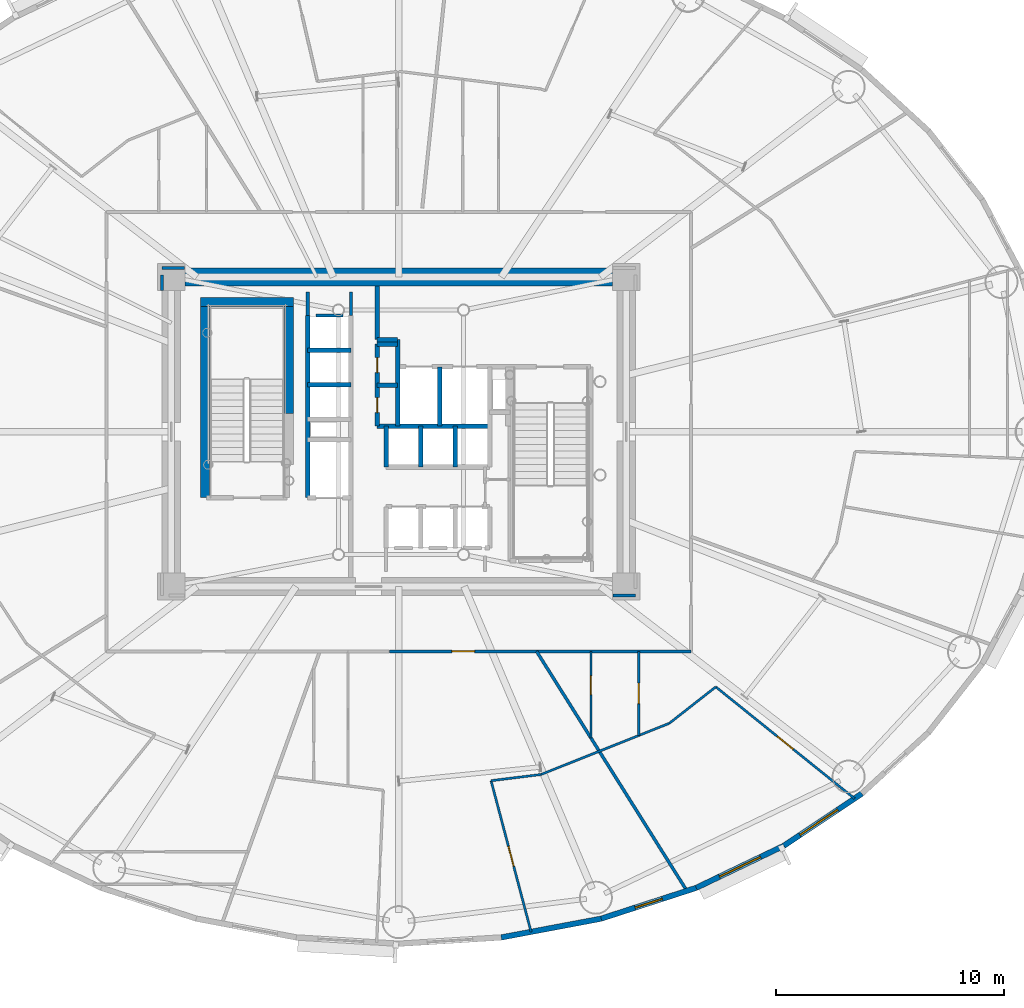
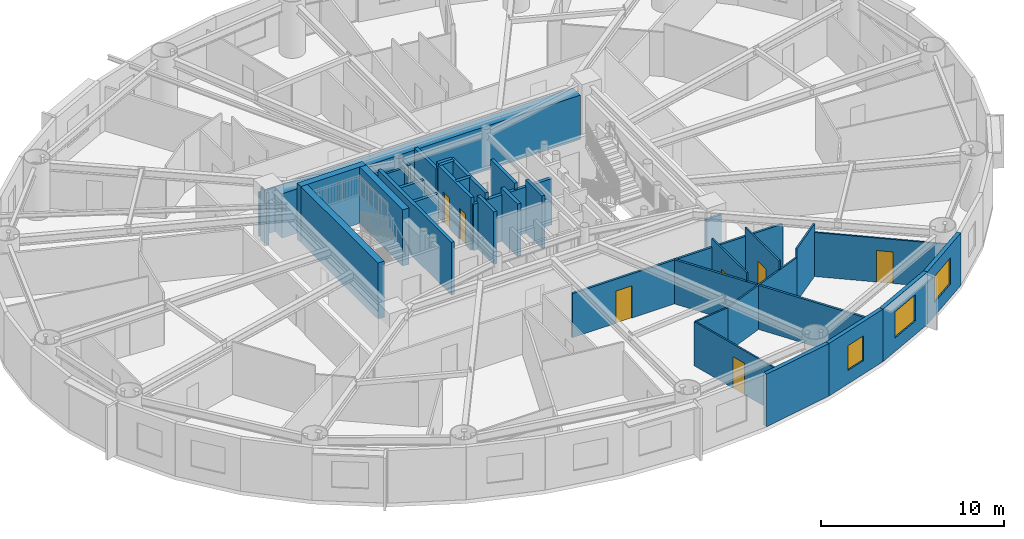
# One storey, part 12 of 21: 37 walls, 7 doors, 3 windows, 10 openings.
"""IFC4 building model written with IfcOpenShell, lengths in metres."""

from ifc_helpers import new_model, si_unit, direction, frame, frame_2d, origin, origin_2d, place, context, subcontext, project, spatial, rectangle, extrude, source, transform, mapped, material, layer, layer_set, type_object, element, fill, save


model = new_model("IFC4")

# Units and contexts
model_context = context("Model", 3, precision=1e-05, world=origin(), true_north=direction((0.0, 1.0)))
body_context = subcontext(model_context, "Body", "Model", "MODEL_VIEW")
ifc_project = project(units=[si_unit("LENGTHUNIT", "METRE"), si_unit("AREAUNIT", "SQUARE_METRE"), si_unit("VOLUMEUNIT", "CUBIC_METRE"), si_unit("PLANEANGLEUNIT", "RADIAN"), si_unit("MASSUNIT", "GRAM", prefix="KILO")], contexts=[model_context])

# Site, building, storey
site_placement = place(None, origin())
site = spatial("IfcSite", under=ifc_project, at=site_placement, CompositionType="ELEMENT")
building_placement = place(site_placement, origin())
building = spatial("IfcBuilding", under=site, at=building_placement, Name="Linh Dai School and Residence Tower", CompositionType="ELEMENT")
storey_placement = place(building_placement, frame((0.0, 0.0, 115.949951171875)))
storey = spatial("IfcBuildingStorey", under=building, at=storey_placement, Name="L27", CompositionType="ELEMENT", Elevation=115.949951171875)

# Wall
ifc_material_1 = material(Name="Precast Concrete B45 (C35/45)", Category="concrete")
ifc_layer_1 = layer(ifc_material_1, 0.239990234375)
ifc_layer_set_1 = layer_set([ifc_layer_1], Name="Precast Concrete B45 (C35/45)")
wall_type_1 = type_object("IfcWallType", Name="EW-TC-240", PredefinedType="SOLIDWALL", material=ifc_layer_set_1)
wall_1_placement = place(storey_placement, frame((44.899658203125, 5.5986328125, 0.0), z_axis=(0.0, 0.0, 1.0), x_axis=(-0.982789252177, -0.184730305596, 0.0)))
element("IfcWall", 1, at=wall_1_placement, inside=storey, type_object=wall_type_1, Name="L27 Terracotta Exterior Wall 32", PredefinedType="SOLIDWALL", context=body_context, shape_type="SweptSolid", body=[
    extrude(rectangle(XDim=4.470947265625, YDim=0.239990234375, at=frame_2d((2.2353515625, 0.0))), origin(), (0.0, 0.0, 1.0), 3.5),
])

# Wall, opening, window
wall_2_placement = place(storey_placement, frame((49.073974609375, 6.95263671875, 0.0), z_axis=(0.0, 0.0, 1.0), x_axis=(-0.951211346073, -0.308540070495, 0.0)))
wall_2 = element("IfcWall", 2, at=wall_2_placement, inside=storey, type_object=wall_type_1, Name="L27 Terracotta Exterior Wall 33", PredefinedType="SOLIDWALL", context=body_context, shape_type="SweptSolid", body=[
    extrude(rectangle(XDim=4.388427734375, YDim=0.239990234375, at=frame_2d((2.1943359375, 0.0))), origin(), (0.0, 0.0, 1.0), 3.5),
])
opening_1_placement = place(wall_2_placement, frame((1.569091796875, 0.0, 0.89990234375)))
opening_1 = element("IfcOpeningElement", 3, at=opening_1_placement, cuts=wall_2, Name="Opening W3", PredefinedType="OPENING", context=body_context, shape_type="SweptSolid", body=[
    extrude(rectangle(XDim=1.25, YDim=1.64990234375, at=origin_2d()), frame((0.625, 0.1298828125, 0.824951171875), z_axis=(0.0, -1.0, 0.0), x_axis=(1.0, 0.0, 0.0)), (0.0, 0.0, 1.0), 0.260009765625),
])
ifc_material_2 = material(Name="Double Low-E Insulated Glazing", Category="glass")
window_type_1 = type_object("IfcWindowType", Name="WN-RES-1250x1650", PartitioningType="SINGLE_PANEL", PredefinedType="WINDOW", material=ifc_material_2)
shared_shape_1 = source(origin(), body_context, "Body", "SweptSolid", [
    extrude(rectangle(XDim=1.25, YDim=1.64990234375, at=origin_2d()), frame((0.625, 0.030029296875, 0.824951171875), z_axis=(0.0, -1.0, 0.0), x_axis=(1.0, 0.0, 0.0)), (0.0, 0.0, 1.0), 0.06005859375),
])
window_1_placement = place(opening_1_placement, origin())
window_1 = element("IfcWindow", 4, at=window_1_placement, inside=storey, type_object=window_type_1, Name="L27 Dwelling Window U2705-BD2", OverallHeight=1.64990234375, OverallWidth=1.25, PartitioningType="SINGLE_PANEL", PredefinedType="WINDOW", context=body_context, shape_type="MappedRepresentation", body=[
    mapped(shared_shape_1, transform((0.0, 0.0, 0.0), x_axis=(1.0, 0.0, 0.0), y_axis=(0.0, 1.0, 0.0), z_axis=(0.0, 0.0, 1.0), scale=1.0)),
])
fill(opening_1, window_1)

wall_3_placement = place(storey_placement, frame((52.92529296875, 8.800537109375, 0.0), z_axis=(0.0, 0.0, 1.0), x_axis=(-0.901589935876, -0.432591709962, 0.0)))
wall_3 = element("IfcWall", 5, at=wall_3_placement, inside=storey, type_object=wall_type_1, Name="L27 Terracotta Exterior Wall 34", PredefinedType="SOLIDWALL", context=body_context, shape_type="SweptSolid", body=[
    extrude(rectangle(XDim=4.271728515625, YDim=0.239990234375, at=frame_2d((2.1357421875, 0.0))), origin(), (0.0, 0.0, 1.0), 3.5),
])
opening_2_placement = place(wall_3_placement, frame((1.135986328125, 0.0, 0.89990234375)))
opening_2 = element("IfcOpeningElement", 6, at=opening_2_placement, cuts=wall_3, Name="Opening W1", PredefinedType="OPENING", context=body_context, shape_type="SweptSolid", body=[
    extrude(rectangle(XDim=2.0, YDim=1.75, at=origin_2d()), frame((1.0, 0.1298828125, 0.875), z_axis=(0.0, -1.0, 0.0), x_axis=(1.0, 0.0, 0.0)), (0.0, 0.0, 1.0), 0.260009765625),
])
window_type_2 = type_object("IfcWindowType", Name="WN-RES-2000x1750", PartitioningType="DOUBLE_PANEL_VERTICAL", PredefinedType="WINDOW", material=ifc_material_2)
shared_shape_2 = source(origin(), body_context, "Body", "SweptSolid", [
    extrude(rectangle(XDim=2.0, YDim=1.75, at=origin_2d()), frame((1.0, 0.030029296875, 0.875), z_axis=(0.0, -1.0, 0.0), x_axis=(1.0, 0.0, 0.0)), (0.0, 0.0, 1.0), 0.06005859375),
])
window_2_placement = place(opening_2_placement, origin())
window_2 = element("IfcWindow", 7, at=window_2_placement, inside=storey, type_object=window_type_2, Name="L27 Exterior Window 34.1", OverallHeight=1.75, OverallWidth=2.0, PartitioningType="DOUBLE_PANEL_VERTICAL", PredefinedType="WINDOW", context=body_context, shape_type="MappedRepresentation", body=[
    mapped(shared_shape_2, transform((0.0, 0.0, 0.0), x_axis=(1.0, 0.0, 0.0), y_axis=(0.0, 1.0, 0.0), z_axis=(0.0, 0.0, 1.0), scale=1.0)),
])
fill(opening_2, window_2)

wall_4_placement = place(storey_placement, frame((56.3583984375, 11.0966796875, 0.0), z_axis=(0.0, 0.0, 1.0), x_axis=(-0.831221811447, -0.555940914284, 0.0)))
wall_4 = element("IfcWall", 8, at=wall_4_placement, inside=storey, type_object=wall_type_1, Name="L27 Terracotta Exterior Wall 35", PredefinedType="SOLIDWALL", context=body_context, shape_type="SweptSolid", body=[
    extrude(rectangle(XDim=4.130126953125, YDim=0.239990234375, at=frame_2d((2.06494140625, 0.0))), origin(), (0.0, 0.0, 1.0), 3.5),
])
opening_3_placement = place(wall_4_placement, frame((1.275634765625, 0.0, 0.89990234375)))
opening_3 = element("IfcOpeningElement", 9, at=opening_3_placement, cuts=wall_4, Name="Opening W1", PredefinedType="OPENING", context=body_context, shape_type="SweptSolid", body=[
    extrude(rectangle(XDim=2.0, YDim=1.75, at=origin_2d()), frame((1.0, 0.1298828125, 0.875), z_axis=(0.0, -1.0, 0.0), x_axis=(1.0, 0.0, 0.0)), (0.0, 0.0, 1.0), 0.260009765625),
])
window_3_placement = place(opening_3_placement, origin())
window_3 = element("IfcWindow", 10, at=window_3_placement, inside=storey, type_object=window_type_2, Name="L27 Exterior Window 35.1", OverallHeight=1.75, OverallWidth=2.0, PartitioningType="DOUBLE_PANEL_VERTICAL", PredefinedType="WINDOW", context=body_context, shape_type="MappedRepresentation", body=[
    mapped(shared_shape_2, transform((0.0, 0.0, 0.0), x_axis=(1.0, 0.0, 0.0), y_axis=(0.0, 1.0, 0.0), z_axis=(0.0, 0.0, 1.0), scale=1.0)),
])
fill(opening_3, window_3)

# Wall, opening, door
ifc_material_3 = material(Name="Autoclaved Aerated Concrete Blockwork", Category="masonry")
ifc_layer_2 = layer(ifc_material_3, 0.135009765625)
ifc_layer_set_2 = layer_set([ifc_layer_2], Name="Autoclaved Aerated Concrete Blockwork")
wall_type_2 = type_object("IfcWallType", Name="IW-CORR-135-EI90", PredefinedType="PARTITIONING", material=ifc_layer_set_2)
wall_5_placement = place(storey_placement, frame((35.583740234375, 17.35009765625, 0.0), z_axis=(0.0, 0.0, 1.0), x_axis=(1.0, 0.0, 0.0)))
wall_5 = element("IfcWall", 11, at=wall_5_placement, inside=storey, type_object=wall_type_2, Name="L27 Interior Partition Wall 052", PredefinedType="PARTITIONING", context=body_context, shape_type="SweptSolid", body=[
    extrude(rectangle(XDim=13.266357421875, YDim=0.135009765625, at=frame_2d((6.63330078125, 0.0))), origin(), (0.0, 0.0, 1.0), 2.93505859375),
])
opening_4_placement = place(wall_5_placement, frame((2.757080078125, 0.0, 0.0)))
opening_4 = element("IfcOpeningElement", 12, at=opening_4_placement, cuts=wall_5, Name="Opening D03", PredefinedType="OPENING", context=body_context, shape_type="SweptSolid", body=[
    extrude(rectangle(XDim=1.0, YDim=2.14990234375, at=origin_2d()), frame((0.5, 0.07763671875, 1.074951171875), z_axis=(0.0, -1.0, 0.0), x_axis=(1.0, 0.0, 0.0)), (0.0, 0.0, 1.0), 0.155029296875),
])
ifc_material_4 = material(Name="Fire-Rated Solid Timber Entrance Door", Category="wood")
door_type_1 = type_object("IfcDoorType", Name="DR-FLAT-1000x2150-FD60S", OperationType="NOTDEFINED", PredefinedType="DOOR", material=ifc_material_4)
shared_shape_3 = source(origin(), body_context, "Body", "SweptSolid", [
    extrude(rectangle(XDim=1.0, YDim=2.14990234375, at=origin_2d()), frame((0.5, 0.02490234375, 1.074951171875), z_axis=(0.0, -1.0, 0.0), x_axis=(1.0, 0.0, 0.0)), (0.0, 0.0, 1.0), 0.050048828125),
])
door_1_placement = place(opening_4_placement, origin())
door_1 = element("IfcDoor", 13, at=door_1_placement, inside=storey, type_object=door_type_1, Name="L27 U2705 Apartment Entrance Door", OperationType="SINGLE_SWING_RIGHT", OverallHeight=2.14990234375, OverallWidth=1.0, PredefinedType="DOOR", context=body_context, shape_type="MappedRepresentation", body=[
    mapped(shared_shape_3, transform((0.0, 0.0, 0.0), x_axis=(1.0, 0.0, 0.0), y_axis=(0.0, 1.0, 0.0), z_axis=(0.0, 0.0, 1.0), scale=1.0)),
])
fill(opening_4, door_1)

# Walls
wall_6_placement = place(storey_placement, frame((42.0576171875, 17.35009765625, 0.0), z_axis=(0.0, 0.0, 1.0), x_axis=(0.531660079213, -0.846957826678, 0.0)))
element("IfcWall", 14, at=wall_6_placement, inside=storey, type_object=wall_type_2, Name="L27 Interior Partition Wall 076", PredefinedType="PARTITIONING", context=body_context, shape_type="SweptSolid", body=[
    extrude(rectangle(XDim=12.43701171875, YDim=0.135009765625, at=frame_2d((6.218505859375, 0.0))), origin(), (0.0, 0.0, 1.0), 2.93505859375),
])
wall_7_placement = place(storey_placement, frame((32.360107421875, 32.10009765625, 0.0), z_axis=(0.0, 0.0, 1.0), x_axis=(1.0, 0.0, 0.0)))
element("IfcWall", 15, at=wall_7_placement, inside=storey, type_object=wall_type_2, Name="L27 Interior Partition Wall 103", PredefinedType="PARTITIONING", context=body_context, shape_type="SweptSolid", body=[
    extrude(rectangle(XDim=1.179931640625, YDim=0.135009765625, at=frame_2d((0.58984375, 0.0))), origin(), (0.0, 0.0, 1.0), 3.0849609375),
])
wall_8_placement = place(storey_placement, frame((32.0, 33.139892578125, 0.0), z_axis=(0.0, 0.0, 1.0), x_axis=(0.0, -1.0, 0.0)))
element("IfcWall", 16, at=wall_8_placement, inside=storey, type_object=wall_type_2, Name="L27 Interior Partition Wall 105", PredefinedType="PARTITIONING", context=body_context, shape_type="SweptSolid", body=[
    extrude(rectangle(XDim=1.02978515625, YDim=0.135009765625, at=frame_2d((0.514892578125, 0.0))), origin(), (0.0, 0.0, 1.0), 3.03515625),
])
wall_9_placement = place(storey_placement, frame((33.89990234375, 32.110107421875, 0.0), z_axis=(0.0, 0.0, 1.0), x_axis=(0.0, 1.0, 0.0)))
element("IfcWall", 17, at=wall_9_placement, inside=storey, type_object=wall_type_2, Name="L27 Interior Partition Wall 108", PredefinedType="PARTITIONING", context=body_context, shape_type="SweptSolid", body=[
    extrude(rectangle(XDim=1.02978515625, YDim=0.135009765625, at=frame_2d((0.514892578125, 0.0))), origin(), (0.0, 0.0, 1.0), 3.0849609375),
])
wall_10_placement = place(storey_placement, frame((26.590087890625, 34.199951171875, 0.0), z_axis=(0.0, 0.0, 1.0), x_axis=(-1.0, 0.0, 0.0)))
element("IfcWall", 18, at=wall_10_placement, inside=storey, type_object=wall_type_2, Name="L27 Interior Partition Wall 112", PredefinedType="PARTITIONING", context=body_context, shape_type="SweptSolid", body=[
    extrude(rectangle(XDim=0.989990234375, YDim=0.135009765625, at=frame_2d((0.4951171875, 0.0))), origin(), (0.0, 0.0, 1.0), 2.93505859375),
])
wall_11_placement = place(storey_placement, frame((25.60009765625, 33.892578125, 0.0), z_axis=(0.0, 0.0, 1.0), x_axis=(0.0, -1.0, 0.0)))
element("IfcWall", 19, at=wall_11_placement, inside=storey, type_object=wall_type_2, Name="L27 Interior Partition Wall 113", PredefinedType="PARTITIONING", context=body_context, shape_type="SweptSolid", body=[
    extrude(rectangle(XDim=0.6826171875, YDim=0.135009765625, at=frame_2d((0.34130859375, 0.0))), origin(), (0.0, 0.0, 1.0), 3.5),
])
wall_12_placement = place(storey_placement, frame((45.409912109375, 19.800048828125, 0.0), z_axis=(0.0, 0.0, 1.0), x_axis=(1.0, 0.0, 0.0)))
element("IfcWall", 20, at=wall_12_placement, inside=storey, type_object=wall_type_2, Name="L27 Interior Partition Wall 116", PredefinedType="PARTITIONING", context=body_context, shape_type="SweptSolid", body=[
    extrude(rectangle(XDim=0.989990234375, YDim=0.135009765625, at=frame_2d((0.4951171875, 0.0))), origin(), (0.0, 0.0, 1.0), 2.93505859375),
])
ifc_material_5 = material(Name="Concrete B45 (C35/45)", Category="concrete")
ifc_layer_3 = layer(ifc_material_5, 0.199951171875)
ifc_layer_set_3 = layer_set([ifc_layer_3], Name="Concrete B45 (C35/45)")
wall_type_3 = type_object("IfcWallType", Name="IW-SHAFT-200-EI120", PredefinedType="PARTITIONING", material=ifc_layer_set_3)
wall_13_placement = place(storey_placement, frame((32.0, 24.10009765625, 0.0), z_axis=(0.0, 0.0, 1.0), x_axis=(0.0, 1.0, 0.0)))
element("IfcWall", 21, at=wall_13_placement, inside=storey, type_object=wall_type_3, Name="L27 Interior Partition Wall 030", PredefinedType="PARTITIONING", context=body_context, shape_type="SweptSolid", body=[
    extrude(rectangle(XDim=8.0, YDim=0.199951171875, at=frame_2d((4.0, 0.0))), origin(), (0.0, 0.0, 1.0), 3.5),
])
for number, where, z_axis, x_axis, name in (
    (22, (32.0, 29.06005859375, 0.0), (0.0, 0.0, 1.0), (1.0, 0.0, 0.0), "L27 Interior Partition Wall 034"),
    (23, (32.0, 30.580078125, 0.0), (0.0, 0.0, 1.0), (1.0, 0.0, 0.0), "L27 Interior Partition Wall 035"),
):
    element("IfcWall", number, at=place(storey_placement, frame(where, z_axis=z_axis, x_axis=x_axis)), inside=storey, type_object=wall_type_3, Name=name, PredefinedType="PARTITIONING", context=body_context, shape_type="SweptSolid", body=[
        extrude(rectangle(XDim=1.89990234375, YDim=0.199951171875, at=frame_2d((0.949951171875, 0.0))), origin(), (0.0, 0.0, 1.0), 3.0849609375),
    ])

# Wall, openings, doors
wall_14_placement = place(storey_placement, frame((35.050048828125, 27.25, 0.0), z_axis=(0.0, 0.0, 1.0), x_axis=(0.0, 1.0, 0.0)))
wall_14 = element("IfcWall", 24, at=wall_14_placement, inside=storey, type_object=wall_type_3, Name="L27 Interior Partition Wall 042", PredefinedType="PARTITIONING", context=body_context, shape_type="SweptSolid", body=[
    extrude(rectangle(XDim=3.60009765625, YDim=0.199951171875, at=frame_2d((1.800048828125, 0.0))), origin(), (0.0, 0.0, 1.0), 3.5),
])
opening_5_placement = place(wall_14_placement, frame((0.590087890625, 0.0, 0.0)))
opening_5 = element("IfcOpeningElement", 25, at=opening_5_placement, cuts=wall_14, Name="Opening AD1", PredefinedType="OPENING", context=body_context, shape_type="SweptSolid", body=[
    extrude(rectangle(XDim=0.659912109375, YDim=2.050048828125, at=origin_2d()), frame((0.330078125, 0.10986328125, 1.02490234375), z_axis=(0.0, -1.0, 0.0), x_axis=(1.0, 0.0, 0.0)), (0.0, 0.0, 1.0), 0.219970703125),
])
opening_6_placement = place(wall_14_placement, frame((2.35009765625, 0.0, 0.0)))
opening_6 = element("IfcOpeningElement", 26, at=opening_6_placement, cuts=wall_14, Name="Opening AD1", PredefinedType="OPENING", context=body_context, shape_type="SweptSolid", body=[
    extrude(rectangle(XDim=0.659912109375, YDim=2.050048828125, at=origin_2d()), frame((0.330078125, 0.10986328125, 1.02490234375), z_axis=(0.0, -1.0, 0.0), x_axis=(1.0, 0.0, 0.0)), (0.0, 0.0, 1.0), 0.219970703125),
])
ifc_material_6 = material(Name="Fire-Rated Steel Riser Access Door", Category="steel")
door_type_2 = type_object("IfcDoorType", Name="DR-ACC-660x2050-FD90S", OperationType="NOTDEFINED", PredefinedType="USERDEFINED", material=ifc_material_6)
shared_shape_4 = source(origin(), body_context, "Body", "SweptSolid", [
    extrude(rectangle(XDim=0.659912109375, YDim=2.050048828125, at=origin_2d()), frame((0.330078125, 0.02490234375, 1.02490234375), z_axis=(0.0, -1.0, 0.0), x_axis=(1.0, 0.0, 0.0)), (0.0, 0.0, 1.0), 0.050048828125),
])
door_2_placement = place(opening_5_placement, origin())
door_2 = element("IfcDoor", 27, at=door_2_placement, inside=storey, type_object=door_type_2, Name="L27 Telecom and Data Riser Access Door", ObjectType="ACCESS DOOR", OperationType="SINGLE_SWING_RIGHT", OverallHeight=2.050048828125, OverallWidth=0.659912109375, PredefinedType="USERDEFINED", context=body_context, shape_type="MappedRepresentation", body=[
    mapped(shared_shape_4, transform((0.0, 0.0, 0.0), x_axis=(1.0, 0.0, 0.0), y_axis=(0.0, 1.0, 0.0), z_axis=(0.0, 0.0, 1.0), scale=1.0)),
])
fill(opening_5, door_2)
door_3_placement = place(opening_6_placement, origin())
door_3 = element("IfcDoor", 28, at=door_3_placement, inside=storey, type_object=door_type_2, Name="L27 Mechanical and Plumbing Riser Access Door", ObjectType="ACCESS DOOR", OperationType="SINGLE_SWING_LEFT", OverallHeight=2.050048828125, OverallWidth=0.659912109375, PredefinedType="USERDEFINED", context=body_context, shape_type="MappedRepresentation", body=[
    mapped(shared_shape_4, transform((0.0, 0.0, 0.0), x_axis=(1.0, 0.0, 0.0), y_axis=(0.0, 1.0, 0.0), z_axis=(0.0, 0.0, 1.0), scale=1.0)),
])
fill(opening_6, door_3)

# Walls
wall_15_placement = place(storey_placement, frame((35.050048828125, 27.25, 0.0), z_axis=(0.0, 0.0, 1.0), x_axis=(1.0, 0.0, 0.0)))
element("IfcWall", 29, at=wall_15_placement, inside=storey, type_object=wall_type_3, Name="L27 Interior Partition Wall 043", PredefinedType="PARTITIONING", context=body_context, shape_type="SweptSolid", body=[
    extrude(rectangle(XDim=4.949951171875, YDim=0.199951171875, at=frame_2d((2.47509765625, 0.0))), origin(), (0.0, 0.0, 1.0), 3.0849609375),
])
for number, where, z_axis, x_axis, name in (
    (30, (35.050048828125, 29.050048828125, 0.0), (0.0, 0.0, 1.0), (1.0, 0.0, 0.0), "L27 Interior Partition Wall 044"),
    (31, (35.050048828125, 30.85009765625, 0.0), (0.0, 0.0, 1.0), (1.0, 0.0, 0.0), "L27 Interior Partition Wall 045"),
):
    element("IfcWall", number, at=place(storey_placement, frame(where, z_axis=z_axis, x_axis=x_axis)), inside=storey, type_object=wall_type_3, Name=name, PredefinedType="PARTITIONING", context=body_context, shape_type="SweptSolid", body=[
        extrude(rectangle(XDim=0.89990234375, YDim=0.199951171875, at=frame_2d((0.449951171875, 0.0))), origin(), (0.0, 0.0, 1.0), 3.5),
    ])
wall_16_placement = place(storey_placement, frame((35.050048828125, 31.050048828125, 0.0), z_axis=(0.0, 0.0, 1.0), x_axis=(0.0, 1.0, 0.0)))
element("IfcWall", 32, at=wall_16_placement, inside=storey, type_object=wall_type_3, Name="L27 Interior Partition Wall 046", PredefinedType="PARTITIONING", context=body_context, shape_type="SweptSolid", body=[
    extrude(rectangle(XDim=2.349853515625, YDim=0.199951171875, at=frame_2d((1.1748046875, 0.0))), origin(), (0.0, 0.0, 1.0), 3.0849609375),
])
wall_17_placement = place(storey_placement, frame((35.050048828125, 31.050048828125, 0.0), z_axis=(0.0, 0.0, 1.0), x_axis=(1.0, 0.0, 0.0)))
element("IfcWall", 33, at=wall_17_placement, inside=storey, type_object=wall_type_3, Name="L27 Interior Partition Wall 047", PredefinedType="PARTITIONING", context=body_context, shape_type="SweptSolid", body=[
    extrude(rectangle(XDim=0.89990234375, YDim=0.199951171875, at=frame_2d((0.449951171875, 0.0))), origin(), (0.0, 0.0, 1.0), 3.5),
])
wall_18_placement = place(storey_placement, frame((35.449951171875, 25.449951171875, 0.0), z_axis=(0.0, 0.0, 1.0), x_axis=(0.0, 1.0, 0.0)))
element("IfcWall", 34, at=wall_18_placement, inside=storey, type_object=wall_type_3, Name="L27 Interior Partition Wall 050", PredefinedType="PARTITIONING", context=body_context, shape_type="SweptSolid", body=[
    extrude(rectangle(XDim=1.800048828125, YDim=0.199951171875, at=frame_2d((0.89990234375, 0.0))), origin(), (0.0, 0.0, 1.0), 3.5),
])
wall_19_placement = place(storey_placement, frame((35.949951171875, 27.25, 0.0), z_axis=(0.0, 0.0, 1.0), x_axis=(0.0, 1.0, 0.0)))
element("IfcWall", 35, at=wall_19_placement, inside=storey, type_object=wall_type_3, Name="L27 Interior Partition Wall 054", PredefinedType="PARTITIONING", context=body_context, shape_type="SweptSolid", body=[
    extrude(rectangle(XDim=3.800048828125, YDim=0.199951171875, at=frame_2d((1.89990234375, 0.0))), origin(), (0.0, 0.0, 1.0), 3.5),
])
wall_20_placement = place(storey_placement, frame((36.9599609375, 25.449951171875, 0.0), z_axis=(0.0, 0.0, 1.0), x_axis=(0.0, 1.0, 0.0)))
element("IfcWall", 36, at=wall_20_placement, inside=storey, type_object=wall_type_3, Name="L27 Interior Partition Wall 058", PredefinedType="PARTITIONING", context=body_context, shape_type="SweptSolid", body=[
    extrude(rectangle(XDim=1.800048828125, YDim=0.199951171875, at=frame_2d((0.89990234375, 0.0))), origin(), (0.0, 0.0, 1.0), 3.5),
])
wall_21_placement = place(storey_placement, frame((37.800048828125, 27.25, 0.0), z_axis=(0.0, 0.0, 1.0), x_axis=(0.0, 1.0, 0.0)))
element("IfcWall", 37, at=wall_21_placement, inside=storey, type_object=wall_type_3, Name="L27 Interior Partition Wall 060", PredefinedType="PARTITIONING", context=body_context, shape_type="SweptSolid", body=[
    extrude(rectangle(XDim=2.60009765625, YDim=0.199951171875, at=frame_2d((1.300048828125, 0.0))), origin(), (0.0, 0.0, 1.0), 3.5),
])
wall_22_placement = place(storey_placement, frame((38.47998046875, 25.449951171875, 0.0), z_axis=(0.0, 0.0, 1.0), x_axis=(0.0, 1.0, 0.0)))
element("IfcWall", 38, at=wall_22_placement, inside=storey, type_object=wall_type_3, Name="L27 Interior Partition Wall 063", PredefinedType="PARTITIONING", context=body_context, shape_type="SweptSolid", body=[
    extrude(rectangle(XDim=1.800048828125, YDim=0.199951171875, at=frame_2d((0.89990234375, 0.0))), origin(), (0.0, 0.0, 1.0), 3.5),
])

# Wall, opening, door
ifc_material_7 = material(Name="Gypsum Plasterboard Acoustic Stud Partition", Category="masonry")
ifc_layer_4 = layer(ifc_material_7, 0.10009765625)
ifc_layer_set_4 = layer_set([ifc_layer_4], Name="Gypsum Plasterboard Acoustic Stud Partition")
wall_type_4 = type_object("IfcWallType", Name="IW-UNIT-100", PredefinedType="PARTITIONING", material=ifc_layer_set_4)
wall_23_placement = place(storey_placement, frame((40.05908203125, 11.662353515625, 0.0), z_axis=(0.0, 0.0, 1.0), x_axis=(0.255861334688, -0.966713492929, 0.0)))
wall_23 = element("IfcWall", 39, at=wall_23_placement, inside=storey, type_object=wall_type_4, Name="L27 Interior Partition Wall 071", PredefinedType="PARTITIONING", context=body_context, shape_type="SweptSolid", body=[
    extrude(rectangle(XDim=6.876953125, YDim=0.10009765625, at=frame_2d((3.4384765625, 0.0))), origin(), (0.0, 0.0, 1.0), 2.93505859375),
])
opening_7_placement = place(wall_23_placement, frame((2.98828125, 0.0, 0.0)))
opening_7 = element("IfcOpeningElement", 40, at=opening_7_placement, cuts=wall_23, Name="Opening D05", PredefinedType="OPENING", context=body_context, shape_type="SweptSolid", body=[
    extrude(rectangle(XDim=0.89990234375, YDim=2.10009765625, at=origin_2d()), frame((0.449951171875, 0.06005859375, 1.050048828125), z_axis=(0.0, -1.0, 0.0), x_axis=(1.0, 0.0, 0.0)), (0.0, 0.0, 1.0), 0.1201171875),
])
ifc_material_8 = material(Name="Engineered Timber Internal Door", Category="wood")
door_type_3 = type_object("IfcDoorType", Name="DR-INT-900x2100", OperationType="NOTDEFINED", PredefinedType="DOOR", material=ifc_material_8)
shared_shape_5 = source(origin(), body_context, "Body", "SweptSolid", [
    extrude(rectangle(XDim=0.89990234375, YDim=2.10009765625, at=origin_2d()), frame((0.449951171875, 0.02490234375, 1.050048828125), z_axis=(0.0, -1.0, 0.0), x_axis=(1.0, 0.0, 0.0)), (0.0, 0.0, 1.0), 0.050048828125),
])
door_4_placement = place(opening_7_placement, origin())
door_4 = element("IfcDoor", 41, at=door_4_placement, inside=storey, type_object=door_type_3, Name="L27 Apartment U2705 Principal Bedroom 2 Door", OperationType="SINGLE_SWING_RIGHT", OverallHeight=2.10009765625, OverallWidth=0.89990234375, PredefinedType="DOOR", context=body_context, shape_type="MappedRepresentation", body=[
    mapped(shared_shape_5, transform((0.0, 0.0, 0.0), x_axis=(1.0, 0.0, 0.0), y_axis=(0.0, 1.0, 0.0), z_axis=(0.0, 0.0, 1.0), scale=1.0)),
])
fill(opening_7, door_4)

# Walls
wall_24_placement = place(storey_placement, frame((40.05908203125, 11.662353515625, 0.0), z_axis=(0.0, 0.0, 1.0), x_axis=(0.992393057675, 0.12310978466, 0.0)))
element("IfcWall", 42, at=wall_24_placement, inside=storey, type_object=wall_type_4, Name="L27 Interior Partition Wall 072", PredefinedType="PARTITIONING", context=body_context, shape_type="SweptSolid", body=[
    extrude(rectangle(XDim=2.209228515625, YDim=0.10009765625, at=frame_2d((1.1044921875, 0.0))), origin(), (0.0, 0.0, 1.0), 2.93505859375),
])
wall_25_placement = place(storey_placement, frame((42.25146484375, 11.934326171875, 0.0), z_axis=(0.0, 0.0, 1.0), x_axis=(0.928803554156, 0.370572473055, 0.0)))
element("IfcWall", 43, at=wall_25_placement, inside=storey, type_object=wall_type_4, Name="L27 Interior Partition Wall 077", PredefinedType="PARTITIONING", context=body_context, shape_type="SweptSolid", body=[
    extrude(rectangle(XDim=6.07177734375, YDim=0.10009765625, at=frame_2d((3.035888671875, 0.0))), origin(), (0.0, 0.0, 1.0), 2.93505859375),
])

# Wall, opening, door
wall_26_placement = place(storey_placement, frame((44.44677734375, 13.5439453125, 0.0), z_axis=(0.0, 0.0, 1.0), x_axis=(0.0, 1.0, 0.0)))
wall_26 = element("IfcWall", 44, at=wall_26_placement, inside=storey, type_object=wall_type_4, Name="L27 Interior Partition Wall 081", PredefinedType="PARTITIONING", context=body_context, shape_type="SweptSolid", body=[
    extrude(rectangle(XDim=3.80615234375, YDim=0.10009765625, at=frame_2d((1.903076171875, 0.0))), origin(), (0.0, 0.0, 1.0), 3.5),
])
opening_8_placement = place(wall_26_placement, frame((1.90478515625, 0.0, 0.0)))
opening_8 = element("IfcOpeningElement", 45, at=opening_8_placement, cuts=wall_26, Name="Opening D06", PredefinedType="OPENING", context=body_context, shape_type="SweptSolid", body=[
    extrude(rectangle(XDim=0.820068359375, YDim=2.10009765625, at=origin_2d()), frame((0.41015625, 0.06005859375, 1.050048828125), z_axis=(0.0, -1.0, 0.0), x_axis=(1.0, 0.0, 0.0)), (0.0, 0.0, 1.0), 0.1201171875),
])
ifc_material_9 = material(Name="Moisture-Resistant Timber Bathroom Door", Category="wood")
door_type_4 = type_object("IfcDoorType", Name="DR-WET-820x2100", OperationType="NOTDEFINED", PredefinedType="DOOR", material=ifc_material_9)
shared_shape_6 = source(origin(), body_context, "Body", "SweptSolid", [
    extrude(rectangle(XDim=0.820068359375, YDim=2.10009765625, at=origin_2d()), frame((0.41015625, 0.02490234375, 1.050048828125), z_axis=(0.0, -1.0, 0.0), x_axis=(1.0, 0.0, 0.0)), (0.0, 0.0, 1.0), 0.050048828125),
])
door_5_placement = place(opening_8_placement, origin())
door_5 = element("IfcDoor", 46, at=door_5_placement, inside=storey, type_object=door_type_4, Name="L27 Apartment U2706 Bathroom 1 Door", OperationType="SINGLE_SWING_RIGHT", OverallHeight=2.10009765625, OverallWidth=0.820068359375, PredefinedType="DOOR", context=body_context, shape_type="MappedRepresentation", body=[
    mapped(shared_shape_6, transform((0.0, 0.0, 0.0), x_axis=(1.0, 0.0, 0.0), y_axis=(0.0, 1.0, 0.0), z_axis=(0.0, 0.0, 1.0), scale=1.0)),
])
fill(opening_8, door_5)

wall_27_placement = place(storey_placement, frame((46.54931640625, 13.649169921875, 0.0), z_axis=(0.0, 0.0, 1.0), x_axis=(0.0, 1.0, 0.0)))
wall_27 = element("IfcWall", 47, at=wall_27_placement, inside=storey, type_object=wall_type_4, Name="L27 Interior Partition Wall 082", PredefinedType="PARTITIONING", context=body_context, shape_type="SweptSolid", body=[
    extrude(rectangle(XDim=3.700927734375, YDim=0.10009765625, at=frame_2d((1.8505859375, 0.0))), origin(), (0.0, 0.0, 1.0), 3.5),
])
opening_9_placement = place(wall_27_placement, frame((1.400390625, 0.0, 0.0)))
opening_9 = element("IfcOpeningElement", 48, at=opening_9_placement, cuts=wall_27, Name="Opening D05", PredefinedType="OPENING", context=body_context, shape_type="SweptSolid", body=[
    extrude(rectangle(XDim=0.89990234375, YDim=2.10009765625, at=origin_2d()), frame((0.449951171875, 0.06005859375, 1.050048828125), z_axis=(0.0, -1.0, 0.0), x_axis=(1.0, 0.0, 0.0)), (0.0, 0.0, 1.0), 0.1201171875),
])
door_6_placement = place(opening_9_placement, origin())
door_6 = element("IfcDoor", 49, at=door_6_placement, inside=storey, type_object=door_type_3, Name="L27 Apartment U2706 Kitchen Door", OperationType="SINGLE_SWING_LEFT", OverallHeight=2.10009765625, OverallWidth=0.89990234375, PredefinedType="DOOR", context=body_context, shape_type="MappedRepresentation", body=[
    mapped(shared_shape_5, transform((0.0, 0.0, 0.0), x_axis=(1.0, 0.0, 0.0), y_axis=(0.0, 1.0, 0.0), z_axis=(0.0, 0.0, 1.0), scale=1.0)),
])
fill(opening_9, door_6)

# Wall
wall_28_placement = place(storey_placement, frame((47.890869140625, 14.184326171875, 0.0), z_axis=(0.0, 0.0, 1.0), x_axis=(0.787364158956, 0.616488184146, 0.0)))
element("IfcWall", 50, at=wall_28_placement, inside=storey, type_object=wall_type_4, Name="L27 Interior Partition Wall 085", PredefinedType="PARTITIONING", context=body_context, shape_type="SweptSolid", body=[
    extrude(rectangle(XDim=2.597412109375, YDim=0.10009765625, at=frame_2d((1.298828125, 0.0))), origin(), (0.0, 0.0, 1.0), 3.5),
])

# Wall, opening, door
wall_29_placement = place(storey_placement, frame((49.93603515625, 15.78564453125, 0.0), z_axis=(0.0, 0.0, 1.0), x_axis=(0.779083359145, -0.626920345421, 0.0)))
wall_29 = element("IfcWall", 51, at=wall_29_placement, inside=storey, type_object=wall_type_4, Name="L27 Interior Partition Wall 090", PredefinedType="PARTITIONING", context=body_context, shape_type="SweptSolid", body=[
    extrude(rectangle(XDim=7.831298828125, YDim=0.10009765625, at=frame_2d((3.91552734375, 0.0))), origin(), (0.0, 0.0, 1.0), 2.93505859375),
])
opening_10_placement = place(wall_29_placement, frame((3.4658203125, 0.0, 0.0)))
opening_10 = element("IfcOpeningElement", 52, at=opening_10_placement, cuts=wall_29, Name="Opening D05", PredefinedType="OPENING", context=body_context, shape_type="SweptSolid", body=[
    extrude(rectangle(XDim=0.89990234375, YDim=2.10009765625, at=origin_2d()), frame((0.449951171875, 0.06005859375, 1.050048828125), z_axis=(0.0, -1.0, 0.0), x_axis=(1.0, 0.0, 0.0)), (0.0, 0.0, 1.0), 0.1201171875),
])
door_7_placement = place(opening_10_placement, origin())
door_7 = element("IfcDoor", 53, at=door_7_placement, inside=storey, type_object=door_type_3, Name="L27 Apartment U2706 Principal Bedroom 1 Door", OperationType="SINGLE_SWING_RIGHT", OverallHeight=2.10009765625, OverallWidth=0.89990234375, PredefinedType="DOOR", context=body_context, shape_type="MappedRepresentation", body=[
    mapped(shared_shape_5, transform((0.0, 0.0, 0.0), x_axis=(1.0, 0.0, 0.0), y_axis=(0.0, 1.0, 0.0), z_axis=(0.0, 0.0, 1.0), scale=1.0)),
])
fill(opening_10, door_7)

# Walls
ifc_layer_5 = layer(ifc_material_5, 0.39990234375)
ifc_layer_set_5 = layer_set([ifc_layer_5], Name="Concrete B45 (C35/45)")
wall_type_5 = type_object("IfcWallType", Name="WL-CORE400", PredefinedType="SHEAR", material=ifc_layer_set_5)
wall_30_placement = place(storey_placement, frame((27.47998046875, 24.10009765625, 0.0), z_axis=(0.0, 0.0, 1.0), x_axis=(0.0, 1.0, 0.0)))
element("IfcWall", 54, at=wall_30_placement, inside=storey, type_object=wall_type_5, Name="L27 Core Stair ST1 Bearing Wall W", PredefinedType="SHEAR", context=body_context, shape_type="SweptSolid", body=[
    extrude(rectangle(XDim=8.599853515625, YDim=0.39990234375, at=frame_2d((4.2998046875, 0.0))), origin(), (0.0, 0.0, 1.0), 3.75),
])
wall_31_placement = place(storey_placement, frame((31.179931640625, 27.800048828125, 0.0), z_axis=(0.0, 0.0, 1.0), x_axis=(0.0, 1.0, 0.0)))
element("IfcWall", 55, at=wall_31_placement, inside=storey, type_object=wall_type_5, Name="L27 Core Stair ST1 Bearing Wall E", PredefinedType="SHEAR", context=body_context, shape_type="SweptSolid", body=[
    extrude(rectangle(XDim=4.89990234375, YDim=0.39990234375, at=frame_2d((2.449951171875, 0.0))), origin(), (0.0, 0.0, 1.0), 3.75),
])
wall_32_placement = place(storey_placement, frame((27.280029296875, 32.699951171875, 0.0), z_axis=(0.0, 0.0, 1.0), x_axis=(1.0, 0.0, 0.0)))
element("IfcWall", 56, at=wall_32_placement, inside=storey, type_object=wall_type_5, Name="L27 Core Stair ST1 Bearing Wall N", PredefinedType="SHEAR", context=body_context, shape_type="SweptSolid", body=[
    extrude(rectangle(XDim=4.099853515625, YDim=0.39990234375, at=frame_2d((2.0498046875, 0.0))), origin(), (0.0, 0.0, 1.0), 3.75),
])
ifc_material_10 = material(Name="Concrete B60 (C50/60)", Category="concrete")
ifc_layer_6 = layer(ifc_material_10, 0.800048828125)
ifc_layer_set_6 = layer_set([ifc_layer_6], Name="Concrete B60 (C50/60)")
wall_type_6 = type_object("IfcWallType", Name="WL-CORE800", PredefinedType="SHEAR", material=ifc_layer_set_6)
wall_33_placement = place(storey_placement, frame((26.60009765625, 33.800048828125, 0.0), z_axis=(0.0, 0.0, 1.0), x_axis=(1.0, 0.0, 0.0)))
element("IfcWall", 57, at=wall_33_placement, inside=storey, type_object=wall_type_6, Name="L27 Central Core Shear Wall N", PredefinedType="SHEAR", context=body_context, shape_type="SweptSolid", body=[
    extrude(rectangle(XDim=18.7998046875, YDim=0.800048828125, at=frame_2d((9.39990234375, 0.0))), origin(), (0.0, 0.0, 1.0), 2.949951171875),
])

save(model, "model.ifc")
